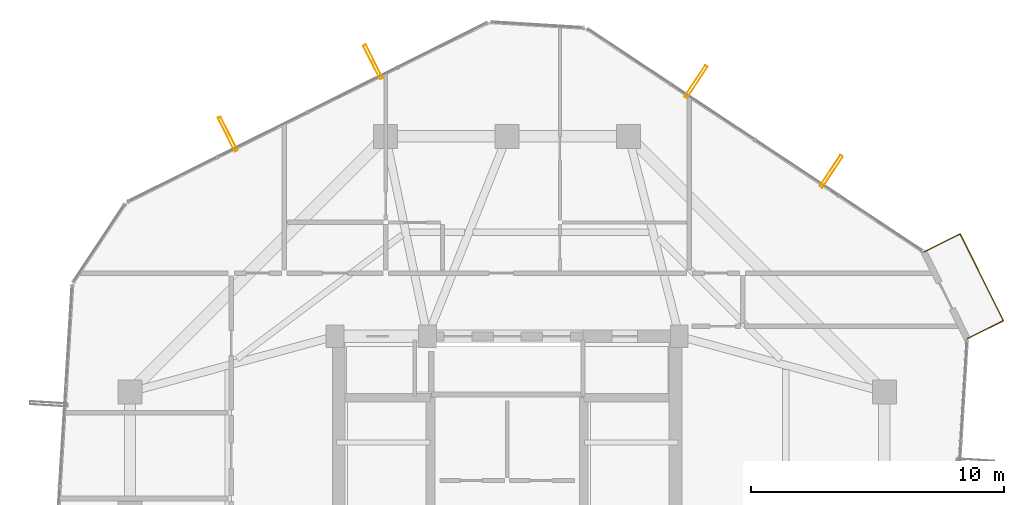
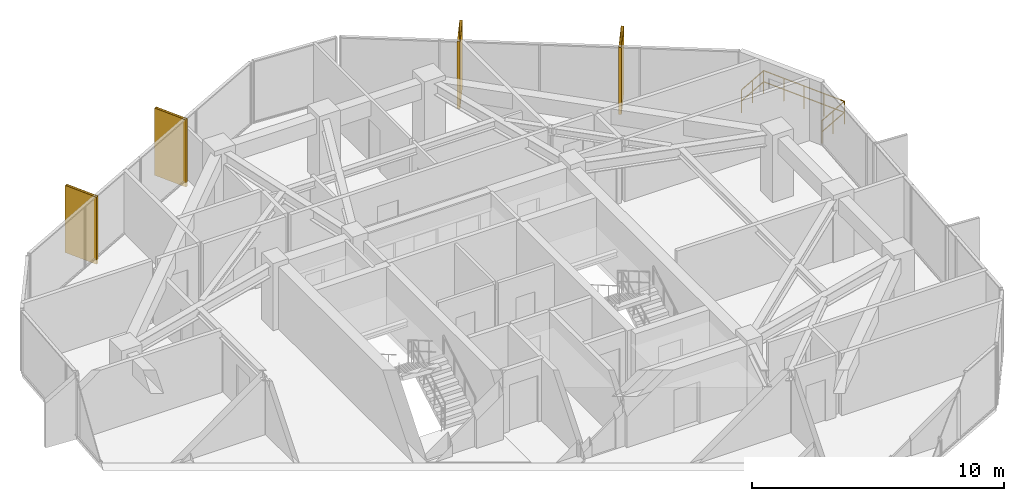
# One storey, part 29 of 29: 4 shading devices, 1 railing.
"""IFC4 building model written with IfcOpenShell, lengths in metres."""

import ifcopenshell
import ifcopenshell.guid

model = None  # the IFC model being written
_history = None  # IfcOwnerHistory: only IFC2X3 demands one
_inside = {}  # id of a spatial element -> (the spatial element, [elements in it])
_under = {}  # id of a project, library or spatial element -> (it, [spatial elements below it])
_declared = {}  # id of a project -> (the project, [libraries it declares])
_typed = {}  # id of a type object -> (the type object, [elements of that type])
_made_of = {}  # id of a material, layer set ... -> (it, [elements and type objects made of it])


def new_model(schema):
    """Start an empty IFC model of exactly this schema.

    Asked for "IFC4X3", IfcOpenShell would pick the latest addendum, in which some entities
    have other attributes; the version numbers below select the first issue.
    IFC2X3 requires an IfcOwnerHistory on every rooted entity: one is made here for all.
    """
    global model, _history
    if schema == "IFC4X3":
        model = ifcopenshell.file(schema_version=(4, 3, 0, 0))
    else:
        model = ifcopenshell.file(schema=schema)
    _inside.clear()
    _under.clear()
    _declared.clear()
    _typed.clear()
    _made_of.clear()
    _history = None
    if model.schema == "IFC2X3":
        org = make("IfcOrganization", Name="unknown")
        user = make(
            "IfcPersonAndOrganization",
            ThePerson=make("IfcPerson", FamilyName="unknown"),
            TheOrganization=org,
        )
        app = make(
            "IfcApplication",
            ApplicationDeveloper=org,
            Version="unknown",
            ApplicationFullName="unknown",
            ApplicationIdentifier="unknown",
        )
        _history = make(
            "IfcOwnerHistory",
            OwningUser=user,
            OwningApplication=app,
            ChangeAction="ADDED",
            CreationDate=0,
        )
    return model


def make(cls, **values):
    """One entity of the class cls with the attributes given. An attribute that is None is left unset."""
    return model.create_entity(
        cls, **{name: value for name, value in values.items() if value is not None}
    )


def rooted(cls, **values):
    """An entity with a GlobalId (a new one), such as an element, a storey or a relation."""
    return make(cls, GlobalId=ifcopenshell.guid.new(), OwnerHistory=_history, **values)


def si_unit(unit_type, name, prefix=None):
    """IfcSIUnit, for example si_unit("LENGTHUNIT", "METRE", prefix="MILLI")."""
    return make("IfcSIUnit", UnitType=unit_type, Prefix=prefix, Name=name)


def assignment(units):
    """IfcUnitAssignment: the units of a project."""
    return None if units is None else make("IfcUnitAssignment", Units=units)


def point(xyz):
    """IfcCartesianPoint."""
    return None if xyz is None else make("IfcCartesianPoint", Coordinates=xyz)


def direction(xyz):
    """IfcDirection."""
    return None if xyz is None else make("IfcDirection", DirectionRatios=xyz)


def frame(location, z_axis=None, x_axis=None):
    """IfcAxis2Placement3D, a coordinate frame: its origin and axes. An axis left out is left unset."""
    return make(
        "IfcAxis2Placement3D",
        Location=point(location),
        Axis=direction(z_axis),
        RefDirection=direction(x_axis),
    )


def frame_2d(location, x_axis=None):
    """IfcAxis2Placement2D, a coordinate frame in the plane: its origin and x axis."""
    return make(
        "IfcAxis2Placement2D", Location=point(location), RefDirection=direction(x_axis)
    )


def origin():
    """The frame at (0, 0, 0) with its axes left unset."""
    return frame((0.0, 0.0, 0.0))


def origin_2d():
    """The frame at (0, 0) in the plane with its x axis left unset."""
    return frame_2d((0.0, 0.0))


def place(relative_to, where):
    """IfcLocalPlacement: puts the frame where relative to a parent placement (None: the world)."""
    return make(
        "IfcLocalPlacement", PlacementRelTo=relative_to, RelativePlacement=where
    )


def context(
    kind, dimensions, precision=None, world=None, true_north=None, identifier=None
):
    """IfcGeometricRepresentationContext, for example the 3D "Model" context."""
    return make(
        "IfcGeometricRepresentationContext",
        ContextIdentifier=identifier,
        ContextType=kind,
        CoordinateSpaceDimension=dimensions,
        Precision=precision,
        WorldCoordinateSystem=world,
        TrueNorth=true_north,
    )


def subcontext(parent, identifier, kind, view, scale=None):
    """IfcGeometricRepresentationSubContext, for example "Body" below "Model"."""
    return make(
        "IfcGeometricRepresentationSubContext",
        ContextIdentifier=identifier,
        ContextType=kind,
        ParentContext=parent,
        TargetScale=scale,
        TargetView=view,
    )


def project(units=None, contexts=None):
    """IfcProject with its units and contexts."""
    return rooted(
        "IfcProject",
        Name="project",
        RepresentationContexts=contexts,
        UnitsInContext=assignment(units),
    )


def spatial(cls, under=None, at=None, **own):
    """A site, building, storey or space (cls), placed at a placement, below another one or the project."""
    s = rooted(cls, ObjectPlacement=at, **own)
    if under is not None:
        _under.setdefault(under.id(), (under, []))[1].append(s)
    return s


def profile(cls, at=None, kind="AREA", **sizes):
    """A parametric profile (cls). Its sizes go by their IFC names, for example OverallWidth=200.0."""
    return make(cls, ProfileType=kind, Position=at, **sizes)


def hollow_rectangle(**sizes):
    """IfcRectangleHollowProfileDef."""
    return profile("IfcRectangleHollowProfileDef", **sizes)


def circle(**sizes):
    """IfcCircleProfileDef."""
    return profile("IfcCircleProfileDef", **sizes)


def extrude(swept, where, along, depth):
    """IfcExtrudedAreaSolid: the profile swept, set in the frame where, extruded along a direction by depth."""
    return make(
        "IfcExtrudedAreaSolid",
        SweptArea=swept,
        Position=where,
        ExtrudedDirection=direction(along),
        Depth=depth,
    )


def shape(context_of_items, identifier, shape_type, items):
    """IfcShapeRepresentation: the items that make up one representation, for example the "Body"."""
    return make(
        "IfcShapeRepresentation",
        ContextOfItems=context_of_items,
        RepresentationIdentifier=identifier,
        RepresentationType=shape_type,
        Items=items,
    )


def material(Name=None, Category=None):
    """IfcMaterial."""
    return make("IfcMaterial", Name=Name, Category=Category)


def material_profile(
    of_material, cross_section, Name=None, Category=None, Priority=None
):
    """IfcMaterialProfile: a cross section and its material."""
    return make(
        "IfcMaterialProfile",
        Name=Name,
        Material=of_material,
        Profile=cross_section,
        Priority=Priority,
        Category=Category,
    )


def profile_set(profiles, Name=None, composite=None):
    """IfcMaterialProfileSet."""
    return make(
        "IfcMaterialProfileSet",
        Name=Name,
        MaterialProfiles=profiles,
        CompositeProfile=composite,
    )


def made_of(thing, what):
    """Note that an element or type object is made of a material, layer set ...; save() writes the relation."""
    if what is not None:
        _made_of.setdefault(what.id(), (what, []))[1].append(thing)
    return thing


def type_object(cls, material=None, **own):
    """A type object (cls), such as IfcWallType, which elements share."""
    return made_of(rooted(cls, **own), material)


def element(
    cls,
    number,
    at=None,
    inside=None,
    cuts=None,
    type_object=None,
    material=None,
    context=None,
    identifier="Body",
    shape_type=None,
    held_by="IfcProductDefinitionShape",
    body=None,
    shapes=None,
    **own,
):
    """One element of the class cls, such as IfcWall. Its Tag is "e" and its number.

    at: its placement. inside: the storey or other place that contains it. cuts: it is an
    opening in that element (IfcRelVoidsElement). A single representation is given by context,
    identifier, shape_type and body (its items); several are given by shapes. held_by: the class
    of the entity that holds the representations. save() writes the other relations.
    """
    e = rooted(cls, Tag="e%d" % number, ObjectPlacement=at, **own)
    if body is not None:
        shapes = [shape(context, identifier, shape_type, body)]
    if shapes is not None:
        e.Representation = make(held_by, Representations=shapes)
    if inside is not None:
        _inside.setdefault(inside.id(), (inside, []))[1].append(e)
    if cuts is not None:
        rooted(
            "IfcRelVoidsElement", RelatingBuildingElement=cuts, RelatedOpeningElement=e
        )
    if type_object is not None:
        _typed.setdefault(type_object.id(), (type_object, []))[1].append(e)
    return made_of(e, material)


def aggregate(whole, parts):
    """IfcRelAggregates: a whole, such as a stair, and the parts it consists of."""
    return rooted("IfcRelAggregates", RelatingObject=whole, RelatedObjects=parts)


def save(model, path):
    """Write the relations noted so far, then the file.

    IfcRelAggregates (storeys below a building ...), IfcRelContainedInSpatialStructure (elements
    in a storey), IfcRelDefinesByType, IfcRelAssociatesMaterial and IfcRelDeclares: one each for
    every whole, place, type object, material and project.
    """
    for whole, parts in _under.values():
        aggregate(whole, parts)
    for where, things in _inside.values():
        rooted(
            "IfcRelContainedInSpatialStructure",
            RelatedElements=things,
            RelatingStructure=where,
        )
    for kind, things in _typed.values():
        rooted("IfcRelDefinesByType", RelatedObjects=things, RelatingType=kind)
    for what, things in _made_of.values():
        rooted("IfcRelAssociatesMaterial", RelatedObjects=things, RelatingMaterial=what)
    for by, libraries in _declared.values():
        rooted("IfcRelDeclares", RelatingContext=by, RelatedDefinitions=libraries)
    model.write(path)


model = new_model("IFC4")

# Units and contexts
model_context = context("Model", 3, precision=1e-05, world=origin(), true_north=direction((0.0, 1.0)))
body_context = subcontext(model_context, "Body", "Model", "MODEL_VIEW")
ifc_project = project(units=[si_unit("LENGTHUNIT", "METRE"), si_unit("AREAUNIT", "SQUARE_METRE"), si_unit("VOLUMEUNIT", "CUBIC_METRE"), si_unit("PLANEANGLEUNIT", "RADIAN"), si_unit("MASSUNIT", "GRAM", prefix="KILO")], contexts=[model_context])

# Site, building, storey
site_placement = place(None, origin())
site = spatial("IfcSite", under=ifc_project, at=site_placement, CompositionType="ELEMENT")
building_placement = place(site_placement, origin())
building = spatial("IfcBuilding", under=site, at=building_placement, Name="Veraguas Prism Commons", CompositionType="ELEMENT")
storey_placement = place(building_placement, frame((0.0, 0.0, 218.89990234375)))
storey = spatial("IfcBuildingStorey", under=building, at=storey_placement, Name="L62", CompositionType="ELEMENT", Elevation=218.89990234375)

# Shading devices
ifc_material_1 = material(Name="Anodised aluminium EN AW-6063 T6", Category="aluminium")
ifc_material_profile = material_profile(ifc_material_1, hollow_rectangle(XDim=0.1201171875, YDim=1.489990234375, WallThickness=0.006103515625, at=origin_2d()), Name="FIN120X1490X6")
ifc_profile_set = profile_set([ifc_material_profile], Name="Anodised aluminium EN AW-6063 T6")
shading_device_type = type_object("IfcShadingDeviceType", Name="Deep Pale-Metal Vertical Solar Fin 120x1490", PredefinedType="USERDEFINED", material=ifc_profile_set)
for number, where, z_axis, x_axis, name in (
    (1, (36.801513671875, 37.51171875, -0.21484375), (0.0, 0.0, 1.0), (-0.833500294179, 0.552519012888, 0.0), "Vertical Pale-Metal Solar Fin L62-F1A"),
    (2, (31.459716796875, 41.052978515625, -0.21484375), (0.0, 0.0, 1.0), (-0.833500294179, 0.552519012888, 0.0), "Vertical Pale-Metal Solar Fin L62-F1B"),
    (3, (18.69921875, 41.84228515625, -0.21484375), (0.0, 0.0, 1.0), (-0.895244870652, -0.445574484875, 0.0), "Vertical Pale-Metal Solar Fin L62-F2A"),
    (4, (12.96142578125, 38.98681640625, -0.21484375), (0.0, 0.0, 1.0), (-0.895244870652, -0.445574484875, 0.0), "Vertical Pale-Metal Solar Fin L62-F2B"),
):
    element("IfcShadingDevice", number, at=place(storey_placement, frame(where, z_axis=z_axis, x_axis=x_axis)), inside=storey, type_object=shading_device_type, Name=name, ObjectType="FIN", PredefinedType="USERDEFINED", context=body_context, shape_type="SweptSolid", body=[
        extrude(hollow_rectangle(XDim=0.1201171875, YDim=1.489990234375, WallThickness=0.006103515625, at=origin_2d()), origin(), (0.0, 0.0, 1.0), 3.25),
    ])

# Railing
ifc_material_2 = material(Name="Stainless steel AISI 316", Category="steel")
railing_type = type_object("IfcRailingType", Name="Loggia and Sky Pool Glazed Balustrade 1120", PredefinedType="BALUSTRADE", material=ifc_material_2)
railing_placement = place(storey_placement, frame((42.171142578125, 30.90234375, 0.0)))
element("IfcRailing", 5, at=railing_placement, inside=storey, type_object=railing_type, Name="Recessed Corner Loggia L62-C1 Guard", PredefinedType="BALUSTRADE", context=body_context, shape_type="SweptSolid", body=[
    extrude(circle(Radius=0.02392578125, at=origin_2d()), frame((0.0, 0.0, 1.09619140625), z_axis=(0.895249662603, 0.445564856793, 0.0), x_axis=(-0.445564856793, 0.895249662603, 0.0)), (0.0, 0.0, 1.0), 1.599853515625),
    extrude(circle(Radius=0.02392578125, at=origin_2d()), frame((0.0, 0.0, 0.56005859375), z_axis=(0.895249662603, 0.445564856793, 0.0), x_axis=(-0.445564856793, 0.895249662603, 0.0)), (0.0, 0.0, 1.0), 1.599853515625),
    extrude(circle(Radius=0.02392578125, at=origin_2d()), frame((1.432373046875, 0.712890625, 1.09619140625), z_axis=(-0.445557428983, 0.895253359378, 0.0), x_axis=(-0.895253359378, -0.445557428983, 0.0)), (0.0, 0.0, 1.0), 3.83447265625),
    extrude(circle(Radius=0.02392578125, at=origin_2d()), frame((1.432373046875, 0.712890625, 0.56005859375), z_axis=(-0.445557428983, 0.895253359378, 0.0), x_axis=(-0.895253359378, -0.445557428983, 0.0)), (0.0, 0.0, 1.0), 3.83447265625),
    extrude(circle(Radius=0.02392578125, at=origin_2d()), frame((-0.276123046875, 4.145751953125, 1.09619140625), z_axis=(-0.895249662603, -0.445564856793, 0.0), x_axis=(0.445564856793, -0.895249662603, 0.0)), (0.0, 0.0, 1.0), 1.599853515625),
    extrude(circle(Radius=0.02392578125, at=origin_2d()), frame((-0.276123046875, 4.145751953125, 0.56005859375), z_axis=(-0.895249662603, -0.445564856793, 0.0), x_axis=(0.445564856793, -0.895249662603, 0.0)), (0.0, 0.0, 1.0), 1.599853515625),
    extrude(circle(Radius=0.02099609375, at=origin_2d()), origin(), (0.0, 0.0, 1.0), 1.072021484375),
    extrude(circle(Radius=0.02099609375, at=origin_2d()), frame((0.71630859375, 0.3564453125, 0.0)), (0.0, 0.0, 1.0), 1.072021484375),
    extrude(circle(Radius=0.02099609375, at=origin_2d()), frame((1.432373046875, 0.712890625, 0.0)), (0.0, 0.0, 1.0), 1.072021484375),
    extrude(circle(Radius=0.02099609375, at=origin_2d()), frame((1.00537109375, 1.571044921875, 0.0)), (0.0, 0.0, 1.0), 1.072021484375),
    extrude(circle(Radius=0.02099609375, at=origin_2d()), frame((0.578125, 2.42919921875, 0.0)), (0.0, 0.0, 1.0), 1.072021484375),
    extrude(circle(Radius=0.02099609375, at=origin_2d()), frame((0.15087890625, 3.28759765625, 0.0)), (0.0, 0.0, 1.0), 1.072021484375),
    extrude(circle(Radius=0.02099609375, at=origin_2d()), frame((-0.276123046875, 4.145751953125, 0.0)), (0.0, 0.0, 1.0), 1.072021484375),
    extrude(circle(Radius=0.02099609375, at=origin_2d()), frame((-0.9921875, 3.789306640625, 0.0)), (0.0, 0.0, 1.0), 1.072021484375),
    extrude(circle(Radius=0.02099609375, at=origin_2d()), frame((-1.70849609375, 3.432861328125, 0.0)), (0.0, 0.0, 1.0), 1.072021484375),
])

save(model, "model.ifc")
